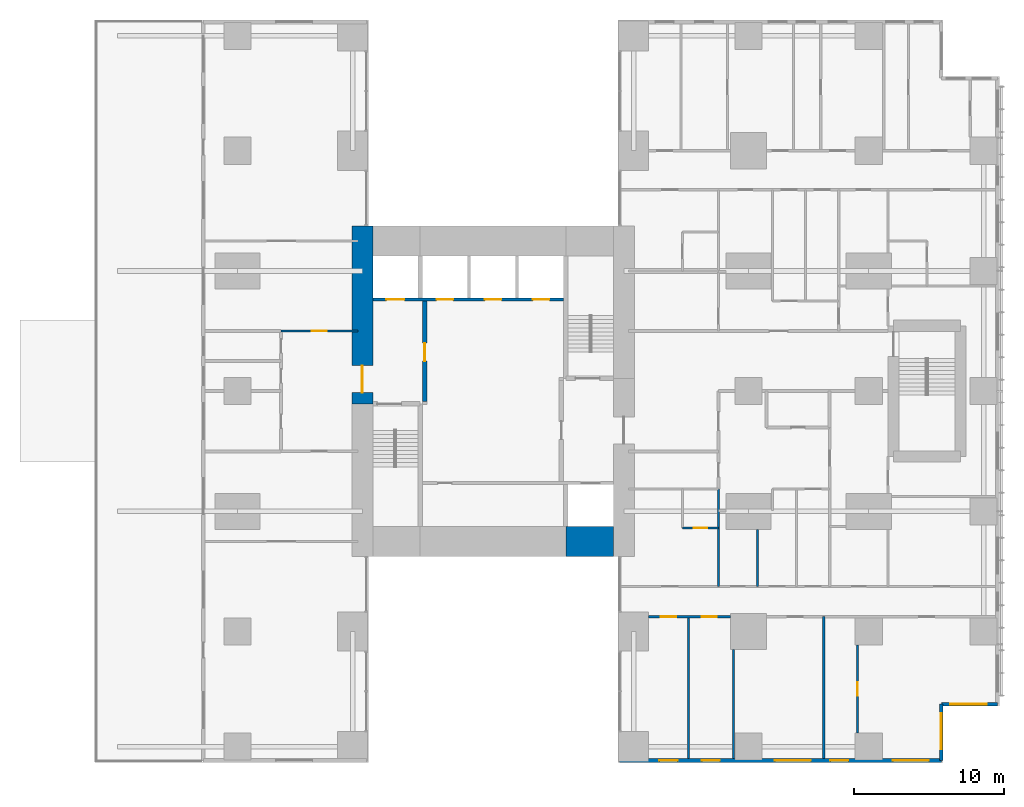
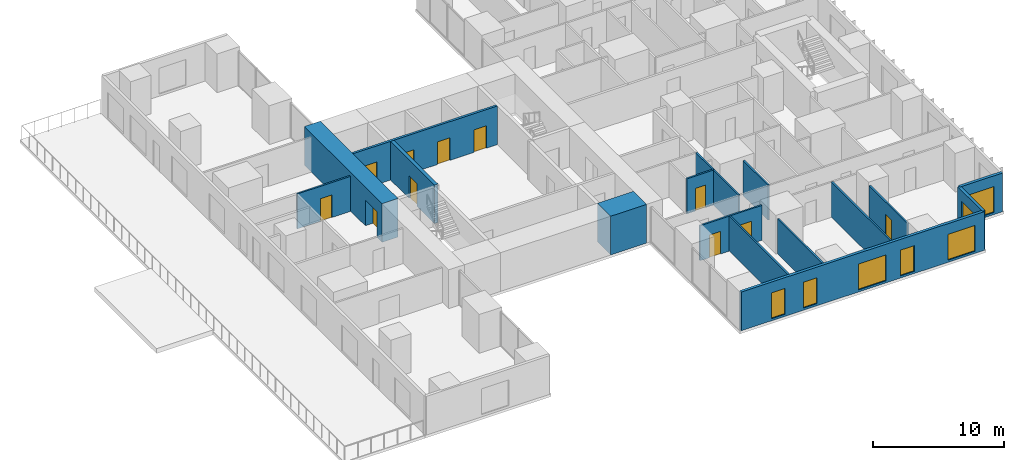
# One storey, part 10 of 15: 16 walls, 11 doors, 7 windows, 18 openings.
"""IFC4 building model written with IfcOpenShell, lengths in metres."""

from ifc_helpers import new_model, si_unit, direction, frame, frame_2d, origin, place, context, subcontext, project, spatial, rectangle, extrude, material, layer, layer_set, type_object, element, fill, save


model = new_model("IFC4")

# Units and contexts
model_context = context("Model", 3, precision=1e-05, world=origin(), true_north=direction((0.0, 1.0)))
body_context = subcontext(model_context, "Body", "Model", "MODEL_VIEW")
ifc_project = project(units=[si_unit("LENGTHUNIT", "METRE"), si_unit("AREAUNIT", "SQUARE_METRE"), si_unit("VOLUMEUNIT", "CUBIC_METRE"), si_unit("PLANEANGLEUNIT", "RADIAN"), si_unit("MASSUNIT", "GRAM", prefix="KILO")], contexts=[model_context])

# Site, building, storey
site_placement = place(None, origin())
site = spatial("IfcSite", under=ifc_project, at=site_placement, CompositionType="ELEMENT")
building_placement = place(site_placement, origin())
building = spatial("IfcBuilding", under=site, at=building_placement, Name="Cleftline Residences", CompositionType="ELEMENT")
storey_placement = place(building_placement, frame((0.0, 0.0, 221.800048828125)))
storey = spatial("IfcBuildingStorey", under=building, at=storey_placement, Name="L58", CompositionType="ELEMENT", Elevation=221.800048828125)

# Wall, opening, door
ifc_material_1 = material(Name="Concrete B70", Category="concrete")
ifc_layer_1 = layer(ifc_material_1, 1.39990234375)
ifc_layer_set_1 = layer_set([ifc_layer_1], Name="CORE WALL 1400")
wall_type_1 = type_object("IfcWallType", Name="CORE WALL 1400", PredefinedType="SHEAR", material=ifc_layer_set_1)
wall_1_placement = place(storey_placement, frame((24.300048828125, 23.14990234375, 0.0), z_axis=(0.0, 0.0, 1.0), x_axis=(0.0, 1.0, 0.0)))
wall_1 = element("IfcWall", 1, at=wall_1_placement, inside=storey, type_object=wall_type_1, Name="Core wall W", PredefinedType="SHEAR", context=body_context, shape_type="SweptSolid", body=[
    extrude(rectangle(XDim=11.85009765625, YDim=1.39990234375, at=frame_2d((5.925048828125, 0.0))), origin(), (0.0, 0.0, 1.0), 3.599853515625),
])
opening_1_placement = place(wall_1_placement, frame((0.75, 0.0, 0.0)))
opening_1 = element("IfcOpeningElement", 2, at=opening_1_placement, cuts=wall_1, Name="Opening D7", PredefinedType="OPENING", context=body_context, shape_type="SweptSolid", body=[
    extrude(rectangle(XDim=1.800048828125, YDim=2.39990234375, at=frame_2d((0.89990234375, 1.199951171875))), frame((0.0, 0.7099609375, 0.0), z_axis=(0.0, -1.0, 0.0), x_axis=(1.0, 0.0, 0.0)), (0.0, 0.0, 1.0), 1.419921875),
])
ifc_material_2 = material(Name="Steel", Category="steel")
door_type_1 = type_object("IfcDoorType", Name="WING DOOR 1800X2400", OperationType="DOUBLE_DOOR_DOUBLE_SWING", PredefinedType="DOOR", material=ifc_material_2)
door_1_placement = place(opening_1_placement, origin())
door_1 = element("IfcDoor", 3, at=door_1_placement, inside=storey, type_object=door_type_1, Name="West wing door", OperationType="DOUBLE_DOOR_DOUBLE_SWING", OverallHeight=2.39990234375, OverallWidth=1.800048828125, PredefinedType="DOOR", context=body_context, shape_type="SweptSolid", body=[
    extrude(rectangle(XDim=1.800048828125, YDim=2.39990234375, at=frame_2d((0.89990234375, 1.199951171875))), frame((0.0, 0.02490234375, 0.0), z_axis=(0.0, -1.0, 0.0), x_axis=(1.0, 0.0, 0.0)), (0.0, 0.0, 1.0), 0.050048828125),
])
fill(opening_1, door_1)

# Wall
ifc_material_3 = material(Name="Concrete B70", Category="concrete")
ifc_layer_2 = layer(ifc_material_3, 2.0)
ifc_layer_set_2 = layer_set([ifc_layer_2], Name="CORE WALL 2000")
wall_type_2 = type_object("IfcWallType", Name="CORE WALL 2000", PredefinedType="SHEAR", material=ifc_layer_set_2)
wall_2_placement = place(storey_placement, frame((37.85009765625, 14.0, 0.0), z_axis=(0.0, 0.0, 1.0), x_axis=(1.0, 0.0, 0.0)))
element("IfcWall", 4, at=wall_2_placement, inside=storey, type_object=wall_type_2, Name="Core wall S3", PredefinedType="SHEAR", context=body_context, shape_type="SweptSolid", body=[
    extrude(rectangle(XDim=3.14990234375, YDim=2.0, at=frame_2d((1.574951171875, 0.0))), origin(), (0.0, 0.0, 1.0), 3.599853515625),
])

# Wall, openings, windows
ifc_material_4 = material(Name="Rendered reinforced concrete blockwork", Category="masonry")
ifc_layer_3 = layer(ifc_material_4, 0.25)
ifc_layer_set_3 = layer_set([ifc_layer_3], Name="EXTERNAL WALL 250")
wall_type_3 = type_object("IfcWallType", Name="EXTERNAL WALL 250", PredefinedType="SOLIDWALL", material=ifc_layer_set_3)
wall_3_placement = place(storey_placement, frame((41.425048828125, -0.574951171875, 0.0), z_axis=(0.0, 0.0, 1.0), x_axis=(1.0, 0.0, 0.0)))
wall_3 = element("IfcWall", 5, at=wall_3_placement, inside=storey, type_object=wall_type_3, Name="External wall", PredefinedType="SOLIDWALL", context=body_context, shape_type="SweptSolid", body=[
    extrude(rectangle(XDim=21.39990234375, YDim=0.25, at=frame_2d((10.699951171875, 0.0))), origin(), (0.0, 0.0, 1.0), 3.599853515625),
])
opening_2_placement = place(wall_3_placement, frame((2.64990234375, 0.0, 0.199951171875)))
opening_2 = element("IfcOpeningElement", 6, at=opening_2_placement, cuts=wall_3, Name="Opening W13", PredefinedType="OPENING", context=body_context, shape_type="SweptSolid", body=[
    extrude(rectangle(XDim=1.199951171875, YDim=2.39990234375, at=frame_2d((0.60009765625, 1.199951171875))), frame((0.0, 0.135009765625, 0.0), z_axis=(0.0, -1.0, 0.0), x_axis=(1.0, 0.0, 0.0)), (0.0, 0.0, 1.0), 0.27001953125),
])
opening_3_placement = place(wall_3_placement, frame((5.47509765625, 0.0, 0.199951171875)))
opening_3 = element("IfcOpeningElement", 7, at=opening_3_placement, cuts=wall_3, Name="Opening W13", PredefinedType="OPENING", context=body_context, shape_type="SweptSolid", body=[
    extrude(rectangle(XDim=1.199951171875, YDim=2.39990234375, at=frame_2d((0.60009765625, 1.199951171875))), frame((0.0, 0.135009765625, 0.0), z_axis=(0.0, -1.0, 0.0), x_axis=(1.0, 0.0, 0.0)), (0.0, 0.0, 1.0), 0.27001953125),
])
opening_4_placement = place(wall_3_placement, frame((10.324951171875, 0.0, 0.199951171875)))
opening_4 = element("IfcOpeningElement", 8, at=opening_4_placement, cuts=wall_3, Name="Opening W9", PredefinedType="OPENING", context=body_context, shape_type="SweptSolid", body=[
    extrude(rectangle(XDim=2.39990234375, YDim=2.39990234375, at=frame_2d((1.199951171875, 1.199951171875))), frame((0.0, 0.135009765625, 0.0), z_axis=(0.0, -1.0, 0.0), x_axis=(1.0, 0.0, 0.0)), (0.0, 0.0, 1.0), 0.27001953125),
])
opening_5_placement = place(wall_3_placement, frame((14.02490234375, 0.0, 0.199951171875)))
opening_5 = element("IfcOpeningElement", 9, at=opening_5_placement, cuts=wall_3, Name="Opening W13", PredefinedType="OPENING", context=body_context, shape_type="SweptSolid", body=[
    extrude(rectangle(XDim=1.199951171875, YDim=2.39990234375, at=frame_2d((0.60009765625, 1.199951171875))), frame((0.0, 0.135009765625, 0.0), z_axis=(0.0, -1.0, 0.0), x_axis=(1.0, 0.0, 0.0)), (0.0, 0.0, 1.0), 0.27001953125),
])
opening_6_placement = place(wall_3_placement, frame((18.175048828125, 0.0, 0.199951171875)))
opening_6 = element("IfcOpeningElement", 10, at=opening_6_placement, cuts=wall_3, Name="Opening W9", PredefinedType="OPENING", context=body_context, shape_type="SweptSolid", body=[
    extrude(rectangle(XDim=2.39990234375, YDim=2.39990234375, at=frame_2d((1.199951171875, 1.199951171875))), frame((0.0, 0.135009765625, 0.0), z_axis=(0.0, -1.0, 0.0), x_axis=(1.0, 0.0, 0.0)), (0.0, 0.0, 1.0), 0.27001953125),
])
ifc_material_5 = material(Name="Aluminium frame, clear double glazing", Category="aluminium")
window_type_1 = type_object("IfcWindowType", Name="WINDOW 1200X2400", PartitioningType="DOUBLE_PANEL_VERTICAL", PredefinedType="WINDOW", material=ifc_material_5)
window_1_placement = place(opening_2_placement, origin())
window_1 = element("IfcWindow", 11, at=window_1_placement, inside=storey, type_object=window_type_1, Name="Window", OverallHeight=2.39990234375, OverallWidth=1.199951171875, PartitioningType="SINGLE_PANEL", PredefinedType="WINDOW", context=body_context, shape_type="SweptSolid", body=[
    extrude(rectangle(XDim=1.199951171875, YDim=2.39990234375, at=frame_2d((0.60009765625, 1.199951171875))), frame((0.0, 0.030029296875, 0.0), z_axis=(0.0, -1.0, 0.0), x_axis=(1.0, 0.0, 0.0)), (0.0, 0.0, 1.0), 0.06005859375),
])
fill(opening_2, window_1)
window_2_placement = place(opening_3_placement, origin())
window_2 = element("IfcWindow", 12, at=window_2_placement, inside=storey, type_object=window_type_1, Name="Window", OverallHeight=2.39990234375, OverallWidth=1.199951171875, PartitioningType="SINGLE_PANEL", PredefinedType="WINDOW", context=body_context, shape_type="SweptSolid", body=[
    extrude(rectangle(XDim=1.199951171875, YDim=2.39990234375, at=frame_2d((0.60009765625, 1.199951171875))), frame((0.0, 0.030029296875, 0.0), z_axis=(0.0, -1.0, 0.0), x_axis=(1.0, 0.0, 0.0)), (0.0, 0.0, 1.0), 0.06005859375),
])
fill(opening_3, window_2)
window_3_placement = place(opening_5_placement, origin())
window_3 = element("IfcWindow", 13, at=window_3_placement, inside=storey, type_object=window_type_1, Name="Window", OverallHeight=2.39990234375, OverallWidth=1.199951171875, PartitioningType="SINGLE_PANEL", PredefinedType="WINDOW", context=body_context, shape_type="SweptSolid", body=[
    extrude(rectangle(XDim=1.199951171875, YDim=2.39990234375, at=frame_2d((0.60009765625, 1.199951171875))), frame((0.0, 0.030029296875, 0.0), z_axis=(0.0, -1.0, 0.0), x_axis=(1.0, 0.0, 0.0)), (0.0, 0.0, 1.0), 0.06005859375),
])
fill(opening_5, window_3)
ifc_material_6 = material(Name="Aluminium frame, clear double glazing", Category="aluminium")
window_type_2 = type_object("IfcWindowType", Name="WINDOW 2400X2400", PartitioningType="DOUBLE_PANEL_VERTICAL", PredefinedType="WINDOW", material=ifc_material_6)
window_4_placement = place(opening_4_placement, origin())
window_4 = element("IfcWindow", 14, at=window_4_placement, inside=storey, type_object=window_type_2, Name="Window", OverallHeight=2.39990234375, OverallWidth=2.39990234375, PartitioningType="SINGLE_PANEL", PredefinedType="WINDOW", context=body_context, shape_type="SweptSolid", body=[
    extrude(rectangle(XDim=2.39990234375, YDim=2.39990234375, at=frame_2d((1.199951171875, 1.199951171875))), frame((0.0, 0.030029296875, 0.0), z_axis=(0.0, -1.0, 0.0), x_axis=(1.0, 0.0, 0.0)), (0.0, 0.0, 1.0), 0.06005859375),
])
fill(opening_4, window_4)
window_5_placement = place(opening_6_placement, origin())
window_5 = element("IfcWindow", 15, at=window_5_placement, inside=storey, type_object=window_type_2, Name="Window", OverallHeight=2.39990234375, OverallWidth=2.39990234375, PartitioningType="SINGLE_PANEL", PredefinedType="WINDOW", context=body_context, shape_type="SweptSolid", body=[
    extrude(rectangle(XDim=2.39990234375, YDim=2.39990234375, at=frame_2d((1.199951171875, 1.199951171875))), frame((0.0, 0.030029296875, 0.0), z_axis=(0.0, -1.0, 0.0), x_axis=(1.0, 0.0, 0.0)), (0.0, 0.0, 1.0), 0.06005859375),
])
fill(opening_6, window_5)

# Wall, opening, window
wall_4_placement = place(storey_placement, frame((62.824951171875, -0.574951171875, 0.0), z_axis=(0.0, 0.0, 1.0), x_axis=(0.0, 1.0, 0.0)))
wall_4 = element("IfcWall", 16, at=wall_4_placement, inside=storey, type_object=wall_type_3, Name="External wall", PredefinedType="SOLIDWALL", context=body_context, shape_type="SweptSolid", body=[
    extrude(rectangle(XDim=3.75, YDim=0.25, at=frame_2d((1.875, 0.0))), origin(), (0.0, 0.0, 1.0), 3.599853515625),
])
opening_7_placement = place(wall_4_placement, frame((0.737548828125, 0.0, 0.199951171875)))
opening_7 = element("IfcOpeningElement", 17, at=opening_7_placement, cuts=wall_4, Name="Opening W9", PredefinedType="OPENING", context=body_context, shape_type="SweptSolid", body=[
    extrude(rectangle(XDim=2.39990234375, YDim=2.39990234375, at=frame_2d((1.199951171875, 1.199951171875))), frame((0.0, 0.135009765625, 0.0), z_axis=(0.0, -1.0, 0.0), x_axis=(1.0, 0.0, 0.0)), (0.0, 0.0, 1.0), 0.27001953125),
])
window_6_placement = place(opening_7_placement, origin())
window_6 = element("IfcWindow", 18, at=window_6_placement, inside=storey, type_object=window_type_2, Name="Window", OverallHeight=2.39990234375, OverallWidth=2.39990234375, PartitioningType="SINGLE_PANEL", PredefinedType="WINDOW", context=body_context, shape_type="SweptSolid", body=[
    extrude(rectangle(XDim=2.39990234375, YDim=2.39990234375, at=frame_2d((1.199951171875, 1.199951171875))), frame((0.0, 0.030029296875, 0.0), z_axis=(0.0, -1.0, 0.0), x_axis=(1.0, 0.0, 0.0)), (0.0, 0.0, 1.0), 0.06005859375),
])
fill(opening_7, window_6)

wall_5_placement = place(storey_placement, frame((62.824951171875, 3.175048828125, 0.0), z_axis=(0.0, 0.0, 1.0), x_axis=(1.0, 0.0, 0.0)))
wall_5 = element("IfcWall", 19, at=wall_5_placement, inside=storey, type_object=wall_type_3, Name="External wall", PredefinedType="SOLIDWALL", context=body_context, shape_type="SweptSolid", body=[
    extrude(rectangle(XDim=3.75, YDim=0.25, at=frame_2d((1.875, 0.0))), origin(), (0.0, 0.0, 1.0), 3.599853515625),
])
opening_8_placement = place(wall_5_placement, frame((0.612548828125, 0.0, 0.199951171875)))
opening_8 = element("IfcOpeningElement", 20, at=opening_8_placement, cuts=wall_5, Name="Opening W9", PredefinedType="OPENING", context=body_context, shape_type="SweptSolid", body=[
    extrude(rectangle(XDim=2.39990234375, YDim=2.39990234375, at=frame_2d((1.199951171875, 1.199951171875))), frame((0.0, 0.135009765625, 0.0), z_axis=(0.0, -1.0, 0.0), x_axis=(1.0, 0.0, 0.0)), (0.0, 0.0, 1.0), 0.27001953125),
])
window_7_placement = place(opening_8_placement, origin())
window_7 = element("IfcWindow", 21, at=window_7_placement, inside=storey, type_object=window_type_2, Name="Window", OverallHeight=2.39990234375, OverallWidth=2.39990234375, PartitioningType="SINGLE_PANEL", PredefinedType="WINDOW", context=body_context, shape_type="SweptSolid", body=[
    extrude(rectangle(XDim=2.39990234375, YDim=2.39990234375, at=frame_2d((1.199951171875, 1.199951171875))), frame((0.0, 0.030029296875, 0.0), z_axis=(0.0, -1.0, 0.0), x_axis=(1.0, 0.0, 0.0)), (0.0, 0.0, 1.0), 0.06005859375),
])
fill(opening_8, window_7)

# Wall, openings, doors
ifc_material_7 = material(Name="Gypsum board on steel studs", Category="steel")
ifc_layer_4 = layer(ifc_material_7, 0.14990234375)
ifc_layer_set_4 = layer_set([ifc_layer_4], Name="PARTITION 150")
wall_type_4 = type_object("IfcWallType", Name="PARTITION 150", PredefinedType="PARTITIONING", material=ifc_layer_set_4)
wall_6_placement = place(storey_placement, frame((43.35009765625, 9.0, 0.0), z_axis=(0.0, 0.0, 1.0), x_axis=(1.0, 0.0, 0.0)))
wall_6 = element("IfcWall", 22, at=wall_6_placement, inside=storey, type_object=wall_type_4, Name="Partition", PredefinedType="PARTITIONING", context=body_context, shape_type="SweptSolid", body=[
    extrude(rectangle(XDim=5.449951171875, YDim=0.14990234375, at=frame_2d((2.72509765625, 0.0))), origin(), (0.0, 0.0, 1.0), 3.25),
])
opening_9_placement = place(wall_6_placement, frame((3.550048828125, 0.0, 0.0)))
opening_9 = element("IfcOpeningElement", 23, at=opening_9_placement, cuts=wall_6, Name="Opening D2", PredefinedType="OPENING", context=body_context, shape_type="SweptSolid", body=[
    extrude(rectangle(XDim=1.0, YDim=2.10009765625, at=frame_2d((0.5, 1.050048828125))), frame((0.0, 0.0849609375, 0.0), z_axis=(0.0, -1.0, 0.0), x_axis=(1.0, 0.0, 0.0)), (0.0, 0.0, 1.0), 0.169921875),
])
opening_10_placement = place(wall_6_placement, frame((0.824951171875, 0.0, 0.0)))
opening_10 = element("IfcOpeningElement", 24, at=opening_10_placement, cuts=wall_6, Name="Opening D2", PredefinedType="OPENING", context=body_context, shape_type="SweptSolid", body=[
    extrude(rectangle(XDim=1.0, YDim=2.10009765625, at=frame_2d((0.5, 1.050048828125))), frame((0.0, 0.0849609375, 0.0), z_axis=(0.0, -1.0, 0.0), x_axis=(1.0, 0.0, 0.0)), (0.0, 0.0, 1.0), 0.169921875),
])
ifc_material_8 = material(Name="Timber veneer on solid core", Category="wood")
door_type_2 = type_object("IfcDoorType", Name="DOOR 1000X2100", OperationType="SINGLE_SWING_LEFT", PredefinedType="DOOR", material=ifc_material_8)
door_2_placement = place(opening_9_placement, origin())
door_2 = element("IfcDoor", 25, at=door_2_placement, inside=storey, type_object=door_type_2, Name="Door to breakfast room", OperationType="SINGLE_SWING_LEFT", OverallHeight=2.10009765625, OverallWidth=1.0, PredefinedType="DOOR", context=body_context, shape_type="SweptSolid", body=[
    extrude(rectangle(XDim=1.0, YDim=2.10009765625, at=frame_2d((0.5, 1.050048828125))), frame((0.0, 0.02490234375, 0.0), z_axis=(0.0, -1.0, 0.0), x_axis=(1.0, 0.0, 0.0)), (0.0, 0.0, 1.0), 0.050048828125),
])
fill(opening_9, door_2)
door_3_placement = place(opening_10_placement, origin())
door_3 = element("IfcDoor", 26, at=door_3_placement, inside=storey, type_object=door_type_2, Name="Door to show kitchen", OperationType="SINGLE_SWING_RIGHT", OverallHeight=2.10009765625, OverallWidth=1.0, PredefinedType="DOOR", context=body_context, shape_type="SweptSolid", body=[
    extrude(rectangle(XDim=1.0, YDim=2.10009765625, at=frame_2d((0.5, 1.050048828125))), frame((0.0, 0.02490234375, 0.0), z_axis=(0.0, -1.0, 0.0), x_axis=(1.0, 0.0, 0.0)), (0.0, 0.0, 1.0), 0.050048828125),
])
fill(opening_10, door_3)

# Wall, opening, door
wall_7_placement = place(storey_placement, frame((45.60009765625, 14.89990234375, 0.0), z_axis=(0.0, 0.0, 1.0), x_axis=(1.0, 0.0, 0.0)))
wall_7 = element("IfcWall", 27, at=wall_7_placement, inside=storey, type_object=wall_type_4, Name="Partition", PredefinedType="PARTITIONING", context=body_context, shape_type="SweptSolid", body=[
    extrude(rectangle(XDim=2.39990234375, YDim=0.14990234375, at=frame_2d((1.199951171875, 0.0))), origin(), (0.0, 0.0, 1.0), 3.25),
])
opening_11_placement = place(wall_7_placement, frame((0.75, 0.0, 0.0)))
opening_11 = element("IfcOpeningElement", 28, at=opening_11_placement, cuts=wall_7, Name="Opening D1", PredefinedType="OPENING", context=body_context, shape_type="SweptSolid", body=[
    extrude(rectangle(XDim=0.89990234375, YDim=2.10009765625, at=frame_2d((0.449951171875, 1.050048828125))), frame((0.0, 0.0849609375, 0.0), z_axis=(0.0, -1.0, 0.0), x_axis=(1.0, 0.0, 0.0)), (0.0, 0.0, 1.0), 0.169921875),
])
ifc_material_9 = material(Name="Timber veneer on solid core", Category="wood")
door_type_3 = type_object("IfcDoorType", Name="DOOR 900X2100", OperationType="SINGLE_SWING_LEFT", PredefinedType="DOOR", material=ifc_material_9)
door_4_placement = place(opening_11_placement, origin())
door_4 = element("IfcDoor", 29, at=door_4_placement, inside=storey, type_object=door_type_3, Name="Door to staff shower room", OperationType="SINGLE_SWING_LEFT", OverallHeight=2.10009765625, OverallWidth=0.89990234375, PredefinedType="DOOR", context=body_context, shape_type="SweptSolid", body=[
    extrude(rectangle(XDim=0.89990234375, YDim=2.10009765625, at=frame_2d((0.449951171875, 1.050048828125))), frame((0.0, 0.02490234375, 0.0), z_axis=(0.0, -1.0, 0.0), x_axis=(1.0, 0.0, 0.0)), (0.0, 0.0, 1.0), 0.050048828125),
])
fill(opening_11, door_4)

wall_8_placement = place(storey_placement, frame((18.89990234375, 28.0, 0.0), z_axis=(0.0, 0.0, 1.0), x_axis=(1.0, 0.0, 0.0)))
wall_8 = element("IfcWall", 30, at=wall_8_placement, inside=storey, type_object=wall_type_4, Name="Partition", PredefinedType="PARTITIONING", context=body_context, shape_type="SweptSolid", body=[
    extrude(rectangle(XDim=5.10009765625, YDim=0.14990234375, at=frame_2d((2.550048828125, 0.0))), origin(), (0.0, 0.0, 1.0), 3.25),
])
opening_12_placement = place(wall_8_placement, frame((2.050048828125, 0.0, 0.0)))
opening_12 = element("IfcOpeningElement", 31, at=opening_12_placement, cuts=wall_8, Name="Opening D2F30", PredefinedType="OPENING", context=body_context, shape_type="SweptSolid", body=[
    extrude(rectangle(XDim=1.0, YDim=2.10009765625, at=frame_2d((0.5, 1.050048828125))), frame((0.0, 0.0849609375, 0.0), z_axis=(0.0, -1.0, 0.0), x_axis=(1.0, 0.0, 0.0)), (0.0, 0.0, 1.0), 0.169921875),
])
ifc_material_10 = material(Name="Timber veneer on solid core", Category="wood")
door_type_4 = type_object("IfcDoorType", Name="DOOR 1000X2100 EI 30", OperationType="SINGLE_SWING_LEFT", PredefinedType="DOOR", material=ifc_material_10)
door_5_placement = place(opening_12_placement, origin())
door_5 = element("IfcDoor", 32, at=door_5_placement, inside=storey, type_object=door_type_4, Name="Door to corridor", OperationType="SINGLE_SWING_LEFT", OverallHeight=2.10009765625, OverallWidth=1.0, PredefinedType="DOOR", context=body_context, shape_type="SweptSolid", body=[
    extrude(rectangle(XDim=1.0, YDim=2.10009765625, at=frame_2d((0.5, 1.050048828125))), frame((0.0, 0.02490234375, 0.0), z_axis=(0.0, -1.0, 0.0), x_axis=(1.0, 0.0, 0.0)), (0.0, 0.0, 1.0), 0.050048828125),
])
fill(opening_12, door_5)

# Walls
wall_9_placement = place(storey_placement, frame((46.0, -0.449951171875, 0.0), z_axis=(0.0, 0.0, 1.0), x_axis=(0.0, 1.0, 0.0)))
element("IfcWall", 33, at=wall_9_placement, inside=storey, type_object=wall_type_4, Name="Partition", PredefinedType="PARTITIONING", context=body_context, shape_type="SweptSolid", body=[
    extrude(rectangle(XDim=9.449951171875, YDim=0.14990234375, at=frame_2d((4.72509765625, 0.0))), origin(), (0.0, 0.0, 1.0), 3.25),
])
wall_10_placement = place(storey_placement, frame((48.0, 11.0, 0.0), z_axis=(0.0, 0.0, 1.0), x_axis=(0.0, 1.0, 0.0)))
element("IfcWall", 34, at=wall_10_placement, inside=storey, type_object=wall_type_4, Name="Partition", PredefinedType="PARTITIONING", context=body_context, shape_type="SweptSolid", body=[
    extrude(rectangle(XDim=6.5, YDim=0.14990234375, at=frame_2d((3.25, 0.0))), origin(), (0.0, 0.0, 1.0), 3.25),
])
wall_11_placement = place(storey_placement, frame((49.0, -0.449951171875, 0.0), z_axis=(0.0, 0.0, 1.0), x_axis=(0.0, 1.0, 0.0)))
element("IfcWall", 35, at=wall_11_placement, inside=storey, type_object=wall_type_4, Name="Partition", PredefinedType="PARTITIONING", context=body_context, shape_type="SweptSolid", body=[
    extrude(rectangle(XDim=7.25, YDim=0.14990234375, at=frame_2d((3.625, 0.0))), origin(), (0.0, 0.0, 1.0), 3.25),
])
wall_12_placement = place(storey_placement, frame((50.60009765625, 11.0, 0.0), z_axis=(0.0, 0.0, 1.0), x_axis=(0.0, 1.0, 0.0)))
element("IfcWall", 36, at=wall_12_placement, inside=storey, type_object=wall_type_4, Name="Partition", PredefinedType="PARTITIONING", context=body_context, shape_type="SweptSolid", body=[
    extrude(rectangle(XDim=3.800048828125, YDim=0.14990234375, at=frame_2d((1.89990234375, 0.0))), origin(), (0.0, 0.0, 1.0), 3.25),
])
wall_13_placement = place(storey_placement, frame((55.0, -0.449951171875, 0.0), z_axis=(0.0, 0.0, 1.0), x_axis=(0.0, 1.0, 0.0)))
element("IfcWall", 37, at=wall_13_placement, inside=storey, type_object=wall_type_4, Name="Partition", PredefinedType="PARTITIONING", context=body_context, shape_type="SweptSolid", body=[
    extrude(rectangle(XDim=9.449951171875, YDim=0.14990234375, at=frame_2d((4.72509765625, 0.0))), origin(), (0.0, 0.0, 1.0), 3.25),
])

# Wall, opening, door
wall_14_placement = place(storey_placement, frame((57.25, 1.25, 0.0), z_axis=(0.0, 0.0, 1.0), x_axis=(0.0, 1.0, 0.0)))
wall_14 = element("IfcWall", 38, at=wall_14_placement, inside=storey, type_object=wall_type_4, Name="Partition", PredefinedType="PARTITIONING", context=body_context, shape_type="SweptSolid", body=[
    extrude(rectangle(XDim=5.85009765625, YDim=0.14990234375, at=frame_2d((2.925048828125, 0.0))), origin(), (0.0, 0.0, 1.0), 3.25),
])
opening_13_placement = place(wall_14_placement, frame((2.47509765625, 0.0, 0.0)))
opening_13 = element("IfcOpeningElement", 39, at=opening_13_placement, cuts=wall_14, Name="Opening D1", PredefinedType="OPENING", context=body_context, shape_type="SweptSolid", body=[
    extrude(rectangle(XDim=0.89990234375, YDim=2.10009765625, at=frame_2d((0.449951171875, 1.050048828125))), frame((0.0, 0.0849609375, 0.0), z_axis=(0.0, -1.0, 0.0), x_axis=(1.0, 0.0, 0.0)), (0.0, 0.0, 1.0), 0.169921875),
])
door_6_placement = place(opening_13_placement, origin())
door_6 = element("IfcDoor", 40, at=door_6_placement, inside=storey, type_object=door_type_3, Name="Door to store room", OperationType="SINGLE_SWING_LEFT", OverallHeight=2.10009765625, OverallWidth=0.89990234375, PredefinedType="DOOR", context=body_context, shape_type="SweptSolid", body=[
    extrude(rectangle(XDim=0.89990234375, YDim=2.10009765625, at=frame_2d((0.449951171875, 1.050048828125))), frame((0.0, 0.02490234375, 0.0), z_axis=(0.0, -1.0, 0.0), x_axis=(1.0, 0.0, 0.0)), (0.0, 0.0, 1.0), 0.050048828125),
])
fill(opening_13, door_6)

# Wall, openings, doors
ifc_material_11 = material(Name="Concrete blockwork, fire rated", Category="masonry")
ifc_layer_5 = layer(ifc_material_11, 0.199951171875)
ifc_layer_set_5 = layer_set([ifc_layer_5], Name="SHAFT WALL 200")
wall_type_5 = type_object("IfcWallType", Name="SHAFT WALL 200", PredefinedType="PARTITIONING", material=ifc_layer_set_5)
wall_15_placement = place(storey_placement, frame((25.0, 30.10009765625, 0.0), z_axis=(0.0, 0.0, 1.0), x_axis=(1.0, 0.0, 0.0)))
wall_15 = element("IfcWall", 41, at=wall_15_placement, inside=storey, type_object=wall_type_5, Name="Lift shaft wall", PredefinedType="PARTITIONING", context=body_context, shape_type="SweptSolid", body=[
    extrude(rectangle(XDim=12.699951171875, YDim=0.199951171875, at=frame_2d((6.35009765625, 0.0))), origin(), (0.0, 0.0, 1.0), 3.599853515625),
])
opening_14_placement = place(wall_15_placement, frame((4.25, 0.0, 0.0)))
opening_14 = element("IfcOpeningElement", 42, at=opening_14_placement, cuts=wall_15, Name="Opening LD1", PredefinedType="OPENING", context=body_context, shape_type="SweptSolid", body=[
    extrude(rectangle(XDim=1.10009765625, YDim=2.10009765625, at=frame_2d((0.550048828125, 1.050048828125))), frame((0.0, 0.10986328125, 0.0), z_axis=(0.0, -1.0, 0.0), x_axis=(1.0, 0.0, 0.0)), (0.0, 0.0, 1.0), 0.219970703125),
])
opening_15_placement = place(wall_15_placement, frame((7.449951171875, 0.0, 0.0)))
opening_15 = element("IfcOpeningElement", 43, at=opening_15_placement, cuts=wall_15, Name="Opening LD1", PredefinedType="OPENING", context=body_context, shape_type="SweptSolid", body=[
    extrude(rectangle(XDim=1.10009765625, YDim=2.10009765625, at=frame_2d((0.550048828125, 1.050048828125))), frame((0.0, 0.10986328125, 0.0), z_axis=(0.0, -1.0, 0.0), x_axis=(1.0, 0.0, 0.0)), (0.0, 0.0, 1.0), 0.219970703125),
])
opening_16_placement = place(wall_15_placement, frame((10.64990234375, 0.0, 0.0)))
opening_16 = element("IfcOpeningElement", 44, at=opening_16_placement, cuts=wall_15, Name="Opening LD1", PredefinedType="OPENING", context=body_context, shape_type="SweptSolid", body=[
    extrude(rectangle(XDim=1.10009765625, YDim=2.10009765625, at=frame_2d((0.550048828125, 1.050048828125))), frame((0.0, 0.10986328125, 0.0), z_axis=(0.0, -1.0, 0.0), x_axis=(1.0, 0.0, 0.0)), (0.0, 0.0, 1.0), 0.219970703125),
])
opening_17_placement = place(wall_15_placement, frame((0.89990234375, 0.0, 0.0)))
opening_17 = element("IfcOpeningElement", 45, at=opening_17_placement, cuts=wall_15, Name="Opening LD2", PredefinedType="OPENING", context=body_context, shape_type="SweptSolid", body=[
    extrude(rectangle(XDim=1.199951171875, YDim=2.10009765625, at=frame_2d((0.60009765625, 1.050048828125))), frame((0.0, 0.10986328125, 0.0), z_axis=(0.0, -1.0, 0.0), x_axis=(1.0, 0.0, 0.0)), (0.0, 0.0, 1.0), 0.219970703125),
])
ifc_material_12 = material(Name="Steel", Category="steel")
door_type_5 = type_object("IfcDoorType", Name="FIREFIGHTING LIFT LANDING DOOR 1200X2100", OperationType="SLIDING_TO_LEFT", PredefinedType="DOOR", material=ifc_material_12)
door_7_placement = place(opening_17_placement, origin())
door_7 = element("IfcDoor", 46, at=door_7_placement, inside=storey, type_object=door_type_5, Name="Lift FL1 landing door", OperationType="SLIDING_TO_LEFT", OverallHeight=2.10009765625, OverallWidth=1.199951171875, PredefinedType="DOOR", context=body_context, shape_type="SweptSolid", body=[
    extrude(rectangle(XDim=1.199951171875, YDim=2.10009765625, at=frame_2d((0.60009765625, 1.050048828125))), frame((0.0, 0.02490234375, 0.0), z_axis=(0.0, -1.0, 0.0), x_axis=(1.0, 0.0, 0.0)), (0.0, 0.0, 1.0), 0.050048828125),
])
fill(opening_17, door_7)
ifc_material_13 = material(Name="Steel", Category="steel")
door_type_6 = type_object("IfcDoorType", Name="LIFT LANDING DOOR 1100X2100", OperationType="SLIDING_TO_LEFT", PredefinedType="DOOR", material=ifc_material_13)
door_8_placement = place(opening_14_placement, origin())
door_8 = element("IfcDoor", 47, at=door_8_placement, inside=storey, type_object=door_type_6, Name="Lift P4 landing door", OperationType="SLIDING_TO_LEFT", OverallHeight=2.10009765625, OverallWidth=1.10009765625, PredefinedType="DOOR", context=body_context, shape_type="SweptSolid", body=[
    extrude(rectangle(XDim=1.10009765625, YDim=2.10009765625, at=frame_2d((0.550048828125, 1.050048828125))), frame((0.0, 0.02490234375, 0.0), z_axis=(0.0, -1.0, 0.0), x_axis=(1.0, 0.0, 0.0)), (0.0, 0.0, 1.0), 0.050048828125),
])
fill(opening_14, door_8)
door_9_placement = place(opening_15_placement, origin())
door_9 = element("IfcDoor", 48, at=door_9_placement, inside=storey, type_object=door_type_6, Name="Lift P5 landing door", OperationType="SLIDING_TO_LEFT", OverallHeight=2.10009765625, OverallWidth=1.10009765625, PredefinedType="DOOR", context=body_context, shape_type="SweptSolid", body=[
    extrude(rectangle(XDim=1.10009765625, YDim=2.10009765625, at=frame_2d((0.550048828125, 1.050048828125))), frame((0.0, 0.02490234375, 0.0), z_axis=(0.0, -1.0, 0.0), x_axis=(1.0, 0.0, 0.0)), (0.0, 0.0, 1.0), 0.050048828125),
])
fill(opening_15, door_9)
door_10_placement = place(opening_16_placement, origin())
door_10 = element("IfcDoor", 49, at=door_10_placement, inside=storey, type_object=door_type_6, Name="Lift P6 landing door", OperationType="SLIDING_TO_LEFT", OverallHeight=2.10009765625, OverallWidth=1.10009765625, PredefinedType="DOOR", context=body_context, shape_type="SweptSolid", body=[
    extrude(rectangle(XDim=1.10009765625, YDim=2.10009765625, at=frame_2d((0.550048828125, 1.050048828125))), frame((0.0, 0.02490234375, 0.0), z_axis=(0.0, -1.0, 0.0), x_axis=(1.0, 0.0, 0.0)), (0.0, 0.0, 1.0), 0.050048828125),
])
fill(opening_16, door_10)

# Wall, opening, door
ifc_material_14 = material(Name="Concrete blockwork, fire rated", Category="masonry")
ifc_layer_6 = layer(ifc_material_14, 0.300048828125)
ifc_layer_set_6 = layer_set([ifc_layer_6], Name="STAIR LOBBY WALL 300")
wall_type_6 = type_object("IfcWallType", Name="STAIR LOBBY WALL 300", PredefinedType="PARTITIONING", material=ifc_layer_set_6)
wall_16_placement = place(storey_placement, frame((28.449951171875, 23.300048828125, 0.0), z_axis=(0.0, 0.0, 1.0), x_axis=(0.0, 1.0, 0.0)))
wall_16 = element("IfcWall", 50, at=wall_16_placement, inside=storey, type_object=wall_type_6, Name="Stair and lobby wall FA-E", PredefinedType="PARTITIONING", context=body_context, shape_type="SweptSolid", body=[
    extrude(rectangle(XDim=6.699951171875, YDim=0.300048828125, at=frame_2d((3.35009765625, 0.0))), origin(), (0.0, 0.0, 1.0), 3.599853515625),
])
opening_18_placement = place(wall_16_placement, frame((2.699951171875, 0.0, 0.0)))
opening_18 = element("IfcOpeningElement", 51, at=opening_18_placement, cuts=wall_16, Name="Opening D6", PredefinedType="OPENING", context=body_context, shape_type="SweptSolid", body=[
    extrude(rectangle(XDim=1.199951171875, YDim=2.10009765625, at=frame_2d((0.60009765625, 1.050048828125))), frame((0.0, 0.159912109375, 0.0), z_axis=(0.0, -1.0, 0.0), x_axis=(1.0, 0.0, 0.0)), (0.0, 0.0, 1.0), 0.320068359375),
])
ifc_material_15 = material(Name="Steel", Category="steel")
door_type_7 = type_object("IfcDoorType", Name="LOBBY DOOR 1200X2100", OperationType="SINGLE_SWING_RIGHT", PredefinedType="DOOR", material=ifc_material_15)
door_11_placement = place(opening_18_placement, origin())
door_11 = element("IfcDoor", 52, at=door_11_placement, inside=storey, type_object=door_type_7, Name="Firefighting lobby A door", OperationType="SINGLE_SWING_RIGHT", OverallHeight=2.10009765625, OverallWidth=1.199951171875, PredefinedType="DOOR", context=body_context, shape_type="SweptSolid", body=[
    extrude(rectangle(XDim=1.199951171875, YDim=2.10009765625, at=frame_2d((0.60009765625, 1.050048828125))), frame((0.0, 0.02490234375, 0.0), z_axis=(0.0, -1.0, 0.0), x_axis=(1.0, 0.0, 0.0)), (0.0, 0.0, 1.0), 0.050048828125),
])
fill(opening_18, door_11)

save(model, "model.ifc")
